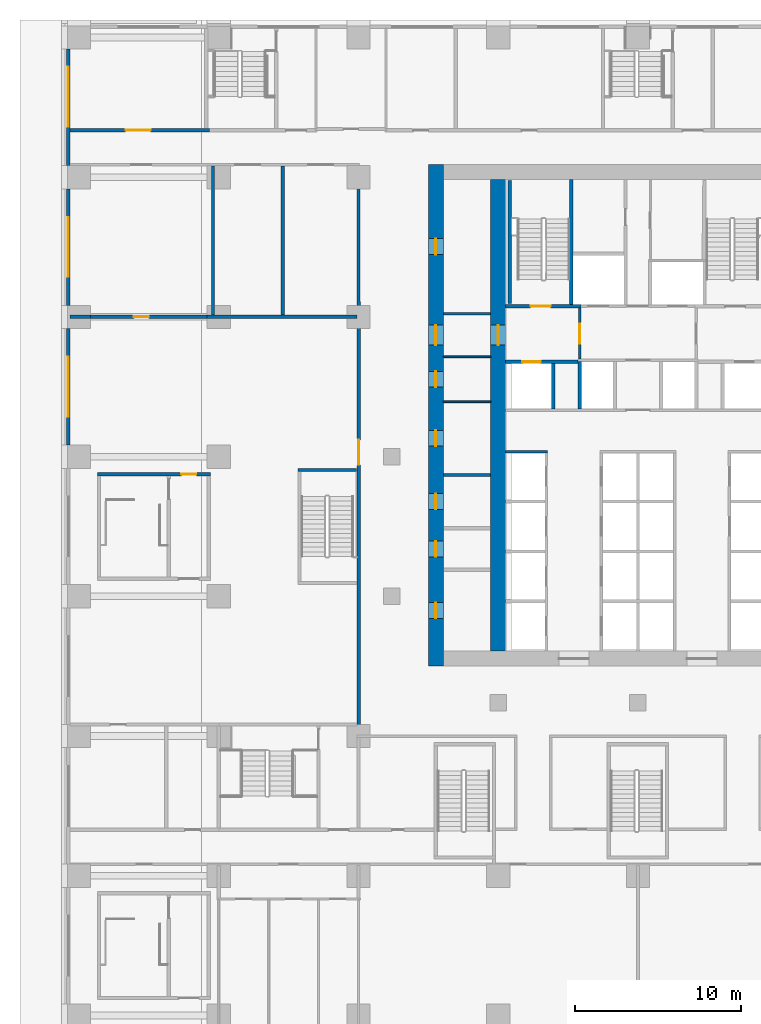
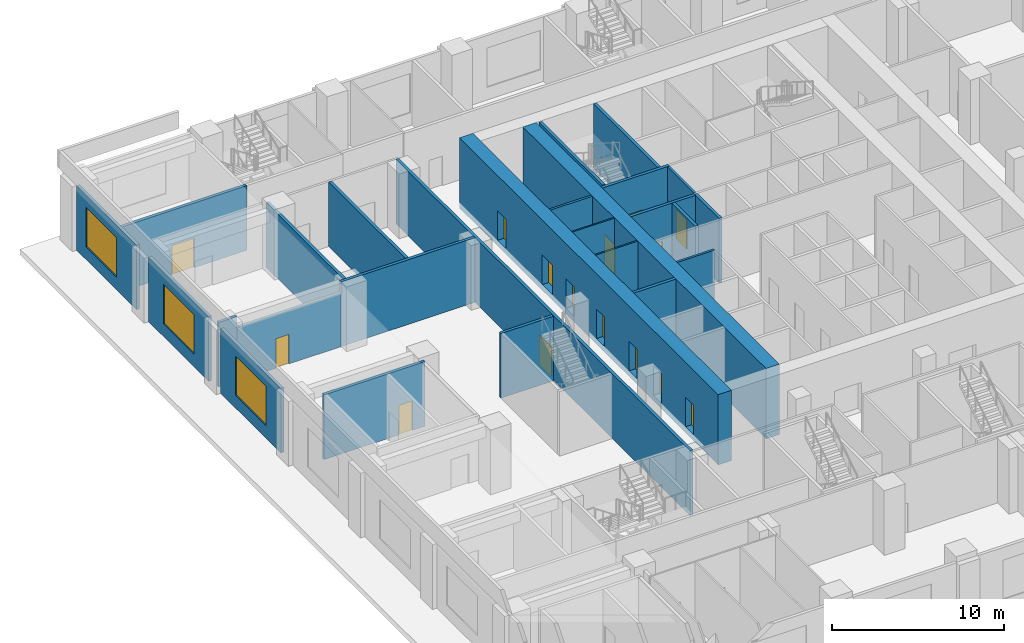
# One storey, part 12 of 29: 26 walls, 15 doors, 3 windows, 18 openings.
"""IFC4 building model written with IfcOpenShell, lengths in metres."""

import ifcopenshell
import ifcopenshell.guid

model = None  # the IFC model being written
_history = None  # IfcOwnerHistory: only IFC2X3 demands one
_inside = {}  # id of a spatial element -> (the spatial element, [elements in it])
_under = {}  # id of a project, library or spatial element -> (it, [spatial elements below it])
_declared = {}  # id of a project -> (the project, [libraries it declares])
_typed = {}  # id of a type object -> (the type object, [elements of that type])
_made_of = {}  # id of a material, layer set ... -> (it, [elements and type objects made of it])


def new_model(schema):
    """Start an empty IFC model of exactly this schema.

    Asked for "IFC4X3", IfcOpenShell would pick the latest addendum, in which some entities
    have other attributes; the version numbers below select the first issue.
    IFC2X3 requires an IfcOwnerHistory on every rooted entity: one is made here for all.
    """
    global model, _history
    if schema == "IFC4X3":
        model = ifcopenshell.file(schema_version=(4, 3, 0, 0))
    else:
        model = ifcopenshell.file(schema=schema)
    _inside.clear()
    _under.clear()
    _declared.clear()
    _typed.clear()
    _made_of.clear()
    _history = None
    if model.schema == "IFC2X3":
        org = make("IfcOrganization", Name="unknown")
        user = make(
            "IfcPersonAndOrganization",
            ThePerson=make("IfcPerson", FamilyName="unknown"),
            TheOrganization=org,
        )
        app = make(
            "IfcApplication",
            ApplicationDeveloper=org,
            Version="unknown",
            ApplicationFullName="unknown",
            ApplicationIdentifier="unknown",
        )
        _history = make(
            "IfcOwnerHistory",
            OwningUser=user,
            OwningApplication=app,
            ChangeAction="ADDED",
            CreationDate=0,
        )
    return model


def make(cls, **values):
    """One entity of the class cls with the attributes given. An attribute that is None is left unset."""
    return model.create_entity(
        cls, **{name: value for name, value in values.items() if value is not None}
    )


def rooted(cls, **values):
    """An entity with a GlobalId (a new one), such as an element, a storey or a relation."""
    return make(cls, GlobalId=ifcopenshell.guid.new(), OwnerHistory=_history, **values)


def si_unit(unit_type, name, prefix=None):
    """IfcSIUnit, for example si_unit("LENGTHUNIT", "METRE", prefix="MILLI")."""
    return make("IfcSIUnit", UnitType=unit_type, Prefix=prefix, Name=name)


def assignment(units):
    """IfcUnitAssignment: the units of a project."""
    return None if units is None else make("IfcUnitAssignment", Units=units)


def point(xyz):
    """IfcCartesianPoint."""
    return None if xyz is None else make("IfcCartesianPoint", Coordinates=xyz)


def direction(xyz):
    """IfcDirection."""
    return None if xyz is None else make("IfcDirection", DirectionRatios=xyz)


def frame(location, z_axis=None, x_axis=None):
    """IfcAxis2Placement3D, a coordinate frame: its origin and axes. An axis left out is left unset."""
    return make(
        "IfcAxis2Placement3D",
        Location=point(location),
        Axis=direction(z_axis),
        RefDirection=direction(x_axis),
    )


def frame_2d(location, x_axis=None):
    """IfcAxis2Placement2D, a coordinate frame in the plane: its origin and x axis."""
    return make(
        "IfcAxis2Placement2D", Location=point(location), RefDirection=direction(x_axis)
    )


def origin():
    """The frame at (0, 0, 0) with its axes left unset."""
    return frame((0.0, 0.0, 0.0))


def place(relative_to, where):
    """IfcLocalPlacement: puts the frame where relative to a parent placement (None: the world)."""
    return make(
        "IfcLocalPlacement", PlacementRelTo=relative_to, RelativePlacement=where
    )


def context(
    kind, dimensions, precision=None, world=None, true_north=None, identifier=None
):
    """IfcGeometricRepresentationContext, for example the 3D "Model" context."""
    return make(
        "IfcGeometricRepresentationContext",
        ContextIdentifier=identifier,
        ContextType=kind,
        CoordinateSpaceDimension=dimensions,
        Precision=precision,
        WorldCoordinateSystem=world,
        TrueNorth=true_north,
    )


def subcontext(parent, identifier, kind, view, scale=None):
    """IfcGeometricRepresentationSubContext, for example "Body" below "Model"."""
    return make(
        "IfcGeometricRepresentationSubContext",
        ContextIdentifier=identifier,
        ContextType=kind,
        ParentContext=parent,
        TargetScale=scale,
        TargetView=view,
    )


def project(units=None, contexts=None):
    """IfcProject with its units and contexts."""
    return rooted(
        "IfcProject",
        Name="project",
        RepresentationContexts=contexts,
        UnitsInContext=assignment(units),
    )


def spatial(cls, under=None, at=None, **own):
    """A site, building, storey or space (cls), placed at a placement, below another one or the project."""
    s = rooted(cls, ObjectPlacement=at, **own)
    if under is not None:
        _under.setdefault(under.id(), (under, []))[1].append(s)
    return s


def profile(cls, at=None, kind="AREA", **sizes):
    """A parametric profile (cls). Its sizes go by their IFC names, for example OverallWidth=200.0."""
    return make(cls, ProfileType=kind, Position=at, **sizes)


def rectangle(**sizes):
    """IfcRectangleProfileDef."""
    return profile("IfcRectangleProfileDef", **sizes)


def extrude(swept, where, along, depth):
    """IfcExtrudedAreaSolid: the profile swept, set in the frame where, extruded along a direction by depth."""
    return make(
        "IfcExtrudedAreaSolid",
        SweptArea=swept,
        Position=where,
        ExtrudedDirection=direction(along),
        Depth=depth,
    )


def shape(context_of_items, identifier, shape_type, items):
    """IfcShapeRepresentation: the items that make up one representation, for example the "Body"."""
    return make(
        "IfcShapeRepresentation",
        ContextOfItems=context_of_items,
        RepresentationIdentifier=identifier,
        RepresentationType=shape_type,
        Items=items,
    )


def material(Name=None, Category=None):
    """IfcMaterial."""
    return make("IfcMaterial", Name=Name, Category=Category)


def layer(
    of_material, thickness, ventilated=None, Name=None, Category=None, Priority=None
):
    """IfcMaterialLayer: one layer of a wall or slab, of a material (None: an air gap)."""
    return make(
        "IfcMaterialLayer",
        Material=of_material,
        LayerThickness=thickness,
        IsVentilated=ventilated,
        Name=Name,
        Category=Category,
        Priority=Priority,
    )


def layer_set(layers, Name=None):
    """IfcMaterialLayerSet."""
    return make("IfcMaterialLayerSet", MaterialLayers=layers, LayerSetName=Name)


def made_of(thing, what):
    """Note that an element or type object is made of a material, layer set ...; save() writes the relation."""
    if what is not None:
        _made_of.setdefault(what.id(), (what, []))[1].append(thing)
    return thing


def type_object(cls, material=None, **own):
    """A type object (cls), such as IfcWallType, which elements share."""
    return made_of(rooted(cls, **own), material)


def element(
    cls,
    number,
    at=None,
    inside=None,
    cuts=None,
    type_object=None,
    material=None,
    context=None,
    identifier="Body",
    shape_type=None,
    held_by="IfcProductDefinitionShape",
    body=None,
    shapes=None,
    **own,
):
    """One element of the class cls, such as IfcWall. Its Tag is "e" and its number.

    at: its placement. inside: the storey or other place that contains it. cuts: it is an
    opening in that element (IfcRelVoidsElement). A single representation is given by context,
    identifier, shape_type and body (its items); several are given by shapes. held_by: the class
    of the entity that holds the representations. save() writes the other relations.
    """
    e = rooted(cls, Tag="e%d" % number, ObjectPlacement=at, **own)
    if body is not None:
        shapes = [shape(context, identifier, shape_type, body)]
    if shapes is not None:
        e.Representation = make(held_by, Representations=shapes)
    if inside is not None:
        _inside.setdefault(inside.id(), (inside, []))[1].append(e)
    if cuts is not None:
        rooted(
            "IfcRelVoidsElement", RelatingBuildingElement=cuts, RelatedOpeningElement=e
        )
    if type_object is not None:
        _typed.setdefault(type_object.id(), (type_object, []))[1].append(e)
    return made_of(e, material)


def fill(opening, filler):
    """IfcRelFillsElement: the door or window that sits in an opening."""
    return rooted(
        "IfcRelFillsElement",
        RelatingOpeningElement=opening,
        RelatedBuildingElement=filler,
    )


def aggregate(whole, parts):
    """IfcRelAggregates: a whole, such as a stair, and the parts it consists of."""
    return rooted("IfcRelAggregates", RelatingObject=whole, RelatedObjects=parts)


def save(model, path):
    """Write the relations noted so far, then the file.

    IfcRelAggregates (storeys below a building ...), IfcRelContainedInSpatialStructure (elements
    in a storey), IfcRelDefinesByType, IfcRelAssociatesMaterial and IfcRelDeclares: one each for
    every whole, place, type object, material and project.
    """
    for whole, parts in _under.values():
        aggregate(whole, parts)
    for where, things in _inside.values():
        rooted(
            "IfcRelContainedInSpatialStructure",
            RelatedElements=things,
            RelatingStructure=where,
        )
    for kind, things in _typed.values():
        rooted("IfcRelDefinesByType", RelatedObjects=things, RelatingType=kind)
    for what, things in _made_of.values():
        rooted("IfcRelAssociatesMaterial", RelatedObjects=things, RelatingMaterial=what)
    for by, libraries in _declared.values():
        rooted("IfcRelDeclares", RelatingContext=by, RelatedDefinitions=libraries)
    model.write(path)


model = new_model("IFC4")

# Units and contexts
model_context = context("Model", 3, precision=1e-05, world=origin(), true_north=direction((0.0, 1.0)))
body_context = subcontext(model_context, "Body", "Model", "MODEL_VIEW")
ifc_project = project(units=[si_unit("LENGTHUNIT", "METRE"), si_unit("AREAUNIT", "SQUARE_METRE"), si_unit("VOLUMEUNIT", "CUBIC_METRE"), si_unit("PLANEANGLEUNIT", "RADIAN"), si_unit("MASSUNIT", "GRAM", prefix="KILO")], contexts=[model_context])

# Site, building, storey
site_placement = place(None, origin())
site = spatial("IfcSite", under=ifc_project, at=site_placement, CompositionType="ELEMENT")
building_placement = place(site_placement, origin())
building = spatial("IfcBuilding", under=site, at=building_placement, Name="Vermilion Ogive Tower", CompositionType="ELEMENT")
storey_placement = place(building_placement, frame((0.0, 0.0, 7.5)))
storey = spatial("IfcBuildingStorey", under=building, at=storey_placement, Name="L01", CompositionType="ELEMENT", Elevation=7.5)

# Wall, openings, doors
ifc_material_1 = material(Name="Concrete B80", Category="concrete")
ifc_layer_1 = layer(ifc_material_1, 0.89990234375)
ifc_layer_set_1 = layer_set([ifc_layer_1], Name="Core wall 900 B80")
wall_type_1 = type_object("IfcWallType", Name="Core wall 900 B80", PredefinedType="SHEAR", material=ifc_layer_set_1)
wall_1_placement = place(storey_placement, frame((-12.14990234375, -8.39990234375, -0.39990234375), z_axis=(0.0, 0.0, 1.0), x_axis=(0.0, 1.0, 0.0)))
wall_1 = element("IfcWall", 1, at=wall_1_placement, inside=storey, type_object=wall_type_1, Name="L01-CORE-W", PredefinedType="SHEAR", context=body_context, shape_type="SweptSolid", body=[
    extrude(rectangle(XDim=30.14990234375, YDim=0.89990234375, at=frame_2d((15.074951171875, 0.0))), origin(), (0.0, 0.0, 1.0), 5.0),
])
opening_1_placement = place(wall_1_placement, frame((2.875, 0.0, 0.39990234375)))
opening_1 = element("IfcOpeningElement", 2, at=opening_1_placement, cuts=wall_1, Name="Opening DAK006", PredefinedType="OPENING", context=body_context, shape_type="SweptSolid", body=[
    extrude(rectangle(XDim=0.949951171875, YDim=2.10009765625, at=frame_2d((0.47509765625, 1.050048828125))), frame((0.0, 0.4599609375, 0.0), z_axis=(0.0, -1.0, 0.0), x_axis=(1.0, 0.0, 0.0)), (0.0, 0.0, 1.0), 0.919921875),
])
opening_2_placement = place(wall_1_placement, frame((6.574951171875, 0.0, 0.39990234375)))
opening_2 = element("IfcOpeningElement", 3, at=opening_2_placement, cuts=wall_1, Name="Opening DAK007", PredefinedType="OPENING", context=body_context, shape_type="SweptSolid", body=[
    extrude(rectangle(XDim=0.949951171875, YDim=2.10009765625, at=frame_2d((0.47509765625, 1.050048828125))), frame((0.0, 0.4599609375, 0.0), z_axis=(0.0, -1.0, 0.0), x_axis=(1.0, 0.0, 0.0)), (0.0, 0.0, 1.0), 0.919921875),
])
opening_3_placement = place(wall_1_placement, frame((9.425048828125, 0.0, 0.39990234375)))
opening_3 = element("IfcOpeningElement", 4, at=opening_3_placement, cuts=wall_1, Name="Opening DAK008", PredefinedType="OPENING", context=body_context, shape_type="SweptSolid", body=[
    extrude(rectangle(XDim=0.949951171875, YDim=2.10009765625, at=frame_2d((0.47509765625, 1.050048828125))), frame((0.0, 0.4599609375, 0.0), z_axis=(0.0, -1.0, 0.0), x_axis=(1.0, 0.0, 0.0)), (0.0, 0.0, 1.0), 0.919921875),
])
opening_4_placement = place(wall_1_placement, frame((13.22509765625, 0.0, 0.39990234375)))
opening_4 = element("IfcOpeningElement", 5, at=opening_4_placement, cuts=wall_1, Name="Opening DAK009", PredefinedType="OPENING", context=body_context, shape_type="SweptSolid", body=[
    extrude(rectangle(XDim=0.949951171875, YDim=2.10009765625, at=frame_2d((0.47509765625, 1.050048828125))), frame((0.0, 0.4599609375, 0.0), z_axis=(0.0, -1.0, 0.0), x_axis=(1.0, 0.0, 0.0)), (0.0, 0.0, 1.0), 0.919921875),
])
opening_5_placement = place(wall_1_placement, frame((16.77490234375, 0.0, 0.39990234375)))
opening_5 = element("IfcOpeningElement", 6, at=opening_5_placement, cuts=wall_1, Name="Opening DAK010", PredefinedType="OPENING", context=body_context, shape_type="SweptSolid", body=[
    extrude(rectangle(XDim=0.949951171875, YDim=2.10009765625, at=frame_2d((0.47509765625, 1.050048828125))), frame((0.0, 0.4599609375, 0.0), z_axis=(0.0, -1.0, 0.0), x_axis=(1.0, 0.0, 0.0)), (0.0, 0.0, 1.0), 0.919921875),
])
opening_6_placement = place(wall_1_placement, frame((24.75, 0.0, 0.39990234375)))
opening_6 = element("IfcOpeningElement", 7, at=opening_6_placement, cuts=wall_1, Name="Opening DAK011", PredefinedType="OPENING", context=body_context, shape_type="SweptSolid", body=[
    extrude(rectangle(XDim=0.949951171875, YDim=2.10009765625, at=frame_2d((0.47509765625, 1.050048828125))), frame((0.0, 0.4599609375, 0.0), z_axis=(0.0, -1.0, 0.0), x_axis=(1.0, 0.0, 0.0)), (0.0, 0.0, 1.0), 0.919921875),
])
opening_7_placement = place(wall_1_placement, frame((19.300048828125, 0.0, 0.39990234375)))
opening_7 = element("IfcOpeningElement", 8, at=opening_7_placement, cuts=wall_1, Name="Opening DBB002", PredefinedType="OPENING", context=body_context, shape_type="SweptSolid", body=[
    extrude(rectangle(XDim=1.199951171875, YDim=2.10009765625, at=frame_2d((0.60009765625, 1.050048828125))), frame((0.0, 0.4599609375, 0.0), z_axis=(0.0, -1.0, 0.0), x_axis=(1.0, 0.0, 0.0)), (0.0, 0.0, 1.0), 0.919921875),
])
ifc_material_2 = material(Name="Timber door leaf", Category="wood")
door_type_1 = type_object("IfcDoorType", Name="Link door 1200 x 2100 FD60S", OperationType="SINGLE_SWING_LEFT", PredefinedType="DOOR", material=ifc_material_2)
door_1_placement = place(opening_7_placement, origin())
door_1 = element("IfcDoor", 9, at=door_1_placement, inside=storey, type_object=door_type_1, Name="L01-CKW-XL", OperationType="SINGLE_SWING_LEFT", OverallHeight=2.10009765625, OverallWidth=1.199951171875, PredefinedType="DOOR", context=body_context, shape_type="SweptSolid", body=[
    extrude(rectangle(XDim=1.199951171875, YDim=2.10009765625, at=frame_2d((0.60009765625, 1.050048828125))), frame((0.0, 0.02490234375, 0.0), z_axis=(0.0, -1.0, 0.0), x_axis=(1.0, 0.0, 0.0)), (0.0, 0.0, 1.0), 0.050048828125),
])
fill(opening_7, door_1)
ifc_material_3 = material(Name="Timber door leaf", Category="wood")
door_type_2 = type_object("IfcDoorType", Name="Service door 950 x 2100 FD60", OperationType="SINGLE_SWING_LEFT", PredefinedType="DOOR", material=ifc_material_3)
door_2_placement = place(opening_1_placement, origin())
door_2 = element("IfcDoor", 10, at=door_2_placement, inside=storey, type_object=door_type_2, Name="L01-CKW-XR0", OperationType="SINGLE_SWING_LEFT", OverallHeight=2.10009765625, OverallWidth=0.949951171875, PredefinedType="DOOR", context=body_context, shape_type="SweptSolid", body=[
    extrude(rectangle(XDim=0.949951171875, YDim=2.10009765625, at=frame_2d((0.47509765625, 1.050048828125))), frame((0.0, 0.02490234375, 0.0), z_axis=(0.0, -1.0, 0.0), x_axis=(1.0, 0.0, 0.0)), (0.0, 0.0, 1.0), 0.050048828125),
])
fill(opening_1, door_2)
door_3_placement = place(opening_2_placement, origin())
door_3 = element("IfcDoor", 11, at=door_3_placement, inside=storey, type_object=door_type_2, Name="L01-CKW-XR1", OperationType="SINGLE_SWING_LEFT", OverallHeight=2.10009765625, OverallWidth=0.949951171875, PredefinedType="DOOR", context=body_context, shape_type="SweptSolid", body=[
    extrude(rectangle(XDim=0.949951171875, YDim=2.10009765625, at=frame_2d((0.47509765625, 1.050048828125))), frame((0.0, 0.02490234375, 0.0), z_axis=(0.0, -1.0, 0.0), x_axis=(1.0, 0.0, 0.0)), (0.0, 0.0, 1.0), 0.050048828125),
])
fill(opening_2, door_3)
door_4_placement = place(opening_3_placement, origin())
door_4 = element("IfcDoor", 12, at=door_4_placement, inside=storey, type_object=door_type_2, Name="L01-CKW-XR2", OperationType="SINGLE_SWING_LEFT", OverallHeight=2.10009765625, OverallWidth=0.949951171875, PredefinedType="DOOR", context=body_context, shape_type="SweptSolid", body=[
    extrude(rectangle(XDim=0.949951171875, YDim=2.10009765625, at=frame_2d((0.47509765625, 1.050048828125))), frame((0.0, 0.02490234375, 0.0), z_axis=(0.0, -1.0, 0.0), x_axis=(1.0, 0.0, 0.0)), (0.0, 0.0, 1.0), 0.050048828125),
])
fill(opening_3, door_4)
door_5_placement = place(opening_4_placement, origin())
door_5 = element("IfcDoor", 13, at=door_5_placement, inside=storey, type_object=door_type_2, Name="L01-CKW-XR3", OperationType="SINGLE_SWING_LEFT", OverallHeight=2.10009765625, OverallWidth=0.949951171875, PredefinedType="DOOR", context=body_context, shape_type="SweptSolid", body=[
    extrude(rectangle(XDim=0.949951171875, YDim=2.10009765625, at=frame_2d((0.47509765625, 1.050048828125))), frame((0.0, 0.02490234375, 0.0), z_axis=(0.0, -1.0, 0.0), x_axis=(1.0, 0.0, 0.0)), (0.0, 0.0, 1.0), 0.050048828125),
])
fill(opening_4, door_5)
door_6_placement = place(opening_5_placement, origin())
door_6 = element("IfcDoor", 14, at=door_6_placement, inside=storey, type_object=door_type_2, Name="L01-CKW-XR4", OperationType="SINGLE_SWING_LEFT", OverallHeight=2.10009765625, OverallWidth=0.949951171875, PredefinedType="DOOR", context=body_context, shape_type="SweptSolid", body=[
    extrude(rectangle(XDim=0.949951171875, YDim=2.10009765625, at=frame_2d((0.47509765625, 1.050048828125))), frame((0.0, 0.02490234375, 0.0), z_axis=(0.0, -1.0, 0.0), x_axis=(1.0, 0.0, 0.0)), (0.0, 0.0, 1.0), 0.050048828125),
])
fill(opening_5, door_6)
door_7_placement = place(opening_6_placement, origin())
door_7 = element("IfcDoor", 15, at=door_7_placement, inside=storey, type_object=door_type_2, Name="L01-CKW-XR5", OperationType="SINGLE_SWING_LEFT", OverallHeight=2.10009765625, OverallWidth=0.949951171875, PredefinedType="DOOR", context=body_context, shape_type="SweptSolid", body=[
    extrude(rectangle(XDim=0.949951171875, YDim=2.10009765625, at=frame_2d((0.47509765625, 1.050048828125))), frame((0.0, 0.02490234375, 0.0), z_axis=(0.0, -1.0, 0.0), x_axis=(1.0, 0.0, 0.0)), (0.0, 0.0, 1.0), 0.050048828125),
])
fill(opening_6, door_7)

# Wall, opening, door
wall_2_placement = place(storey_placement, frame((-8.39990234375, -7.5, -0.39990234375), z_axis=(0.0, 0.0, 1.0), x_axis=(0.0, 1.0, 0.0)))
wall_2 = element("IfcWall", 16, at=wall_2_placement, inside=storey, type_object=wall_type_1, Name="L01-CORE-WEB1", PredefinedType="SHEAR", context=body_context, shape_type="SweptSolid", body=[
    extrude(rectangle(XDim=28.35009765625, YDim=0.89990234375, at=frame_2d((14.175048828125, 0.0))), origin(), (0.0, 0.0, 1.0), 5.0),
])
opening_8_placement = place(wall_2_placement, frame((18.39990234375, 0.0, 0.39990234375)))
opening_8 = element("IfcOpeningElement", 17, at=opening_8_placement, cuts=wall_2, Name="Opening DBD002", PredefinedType="OPENING", context=body_context, shape_type="SweptSolid", body=[
    extrude(rectangle(XDim=1.199951171875, YDim=2.10009765625, at=frame_2d((0.60009765625, 1.050048828125))), frame((0.0, 0.4599609375, 0.0), z_axis=(0.0, -1.0, 0.0), x_axis=(1.0, 0.0, 0.0)), (0.0, 0.0, 1.0), 0.919921875),
])
door_8_placement = place(opening_8_placement, origin())
door_8 = element("IfcDoor", 18, at=door_8_placement, inside=storey, type_object=door_type_1, Name="L01-CKW-XW", OperationType="SINGLE_SWING_LEFT", OverallHeight=2.10009765625, OverallWidth=1.199951171875, PredefinedType="DOOR", context=body_context, shape_type="SweptSolid", body=[
    extrude(rectangle(XDim=1.199951171875, YDim=2.10009765625, at=frame_2d((0.60009765625, 1.050048828125))), frame((0.0, 0.02490234375, 0.0), z_axis=(0.0, -1.0, 0.0), x_axis=(1.0, 0.0, 0.0)), (0.0, 0.0, 1.0), 0.050048828125),
])
fill(opening_8, door_8)

# Walls
ifc_material_4 = material(Name="Gypsum board partition on steel studs", Category="steel")
ifc_layer_2 = layer(ifc_material_4, 0.10009765625)
ifc_layer_set_2 = layer_set([ifc_layer_2], Name="Partition 100 bath")
wall_type_2 = type_object("IfcWallType", Name="Partition 100 bath", PredefinedType="PARTITIONING", material=ifc_layer_set_2)
for number, where, z_axis, x_axis, name in (
    (19, (-11.698974609375, 7.5, 0.0), (0.0, 0.0, 1.0), (1.0, 0.0, 0.0), "L01-CKW-W-W004"),
    (20, (-11.698974609375, 10.199951171875, 0.0), (0.0, 0.0, 1.0), (1.0, 0.0, 0.0), "L01-CKW-W-W005"),
):
    element("IfcWall", number, at=place(storey_placement, frame(where, z_axis=z_axis, x_axis=x_axis)), inside=storey, type_object=wall_type_2, Name=name, PredefinedType="PARTITIONING", context=body_context, shape_type="SweptSolid", body=[
        extrude(rectangle(XDim=2.847900390625, YDim=0.10009765625, at=frame_2d((1.423828125, 0.0))), origin(), (0.0, 0.0, 1.0), 4.60009765625),
    ])
ifc_material_5 = material(Name="Gypsum board partition on steel studs", Category="steel")
ifc_layer_3 = layer(ifc_material_5, 0.14990234375)
ifc_layer_set_3 = layer_set([ifc_layer_3], Name="Partition 150 corridor")
wall_type_3 = type_object("IfcWallType", Name="Partition 150 corridor", PredefinedType="PARTITIONING", material=ifc_layer_set_3)
wall_3_placement = place(storey_placement, frame((-7.948974609375, 4.5, 0.0), z_axis=(0.0, 0.0, 1.0), x_axis=(1.0, 0.0, 0.0)))
element("IfcWall", 21, at=wall_3_placement, inside=storey, type_object=wall_type_3, Name="L01-CK-W-W010", PredefinedType="PARTITIONING", context=body_context, shape_type="SweptSolid", body=[
    extrude(rectangle(XDim=2.52392578125, YDim=0.14990234375, at=frame_2d((1.261962890625, 0.0))), origin(), (0.0, 0.0, 1.0), 4.60009765625),
])

# Wall, opening, door
wall_4_placement = place(storey_placement, frame((-3.5, 10.074951171875, 0.0), z_axis=(0.0, 0.0, 1.0), x_axis=(0.0, 1.0, 0.0)))
wall_4 = element("IfcWall", 22, at=wall_4_placement, inside=storey, type_object=wall_type_3, Name="L01-CK-W-W026", PredefinedType="PARTITIONING", context=body_context, shape_type="SweptSolid", body=[
    extrude(rectangle(XDim=3.074951171875, YDim=0.14990234375, at=frame_2d((1.53759765625, 0.0))), origin(), (0.0, 0.0, 1.0), 4.60009765625),
])
opening_9_placement = place(wall_4_placement, frame((0.925048828125, 0.0, 0.0)))
opening_9 = element("IfcOpeningElement", 23, at=opening_9_placement, cuts=wall_4, Name="Opening DAB032", PredefinedType="OPENING", context=body_context, shape_type="SweptSolid", body=[
    extrude(rectangle(XDim=1.199951171875, YDim=2.10009765625, at=frame_2d((0.60009765625, 1.050048828125))), frame((0.0, 0.0849609375, 0.0), z_axis=(0.0, -1.0, 0.0), x_axis=(1.0, 0.0, 0.0)), (0.0, 0.0, 1.0), 0.169921875),
])
ifc_material_6 = material(Name="Timber door leaf", Category="wood")
door_type_3 = type_object("IfcDoorType", Name="Lobby door 1200 x 2100 FD60S", OperationType="SINGLE_SWING_LEFT", PredefinedType="DOOR", material=ifc_material_6)
door_9_placement = place(opening_9_placement, origin())
door_9 = element("IfcDoor", 24, at=door_9_placement, inside=storey, type_object=door_type_3, Name="L01-CK-D-D022", OperationType="SINGLE_SWING_RIGHT", OverallHeight=2.10009765625, OverallWidth=1.199951171875, PredefinedType="DOOR", context=body_context, shape_type="SweptSolid", body=[
    extrude(rectangle(XDim=1.199951171875, YDim=2.10009765625, at=frame_2d((0.60009765625, 1.050048828125))), frame((0.0, 0.02490234375, 0.0), z_axis=(0.0, -1.0, 0.0), x_axis=(1.0, 0.0, 0.0)), (0.0, 0.0, 1.0), 0.050048828125),
])
fill(opening_9, door_9)

# Wall
wall_5_placement = place(storey_placement, frame((-11.698974609375, 12.800048828125, 0.0), z_axis=(0.0, 0.0, 1.0), x_axis=(1.0, 0.0, 0.0)))
element("IfcWall", 25, at=wall_5_placement, inside=storey, type_object=wall_type_3, Name="L01-CKW-W-W006", PredefinedType="PARTITIONING", context=body_context, shape_type="SweptSolid", body=[
    extrude(rectangle(XDim=2.847900390625, YDim=0.14990234375, at=frame_2d((1.423828125, 0.0))), origin(), (0.0, 0.0, 1.0), 4.60009765625),
])

# Wall, opening, door
ifc_material_7 = material(Name="Gypsum board partition on steel studs", Category="steel")
ifc_layer_4 = layer(ifc_material_7, 0.199951171875)
ifc_layer_set_4 = layer_set([ifc_layer_4], Name="Partition 200 party")
wall_type_4 = type_object("IfcWallType", Name="Partition 200 party", PredefinedType="PARTITIONING", material=ifc_layer_set_4)
wall_6_placement = place(storey_placement, frame((-32.5, 3.14990234375, 0.0), z_axis=(0.0, 0.0, 1.0), x_axis=(1.0, 0.0, 0.0)))
wall_6 = element("IfcWall", 26, at=wall_6_placement, inside=storey, type_object=wall_type_4, Name="L01-FS-W-W025", PredefinedType="PARTITIONING", context=body_context, shape_type="SweptSolid", body=[
    extrude(rectangle(XDim=6.800048828125, YDim=0.199951171875, at=frame_2d((3.39990234375, 0.0))), origin(), (0.0, 0.0, 1.0), 4.60009765625),
])
opening_10_placement = place(wall_6_placement, frame((5.050048828125, 0.0, 0.0)))
opening_10 = element("IfcOpeningElement", 27, at=opening_10_placement, cuts=wall_6, Name="Opening L01S024", PredefinedType="OPENING", context=body_context, shape_type="SweptSolid", body=[
    extrude(rectangle(XDim=0.89990234375, YDim=2.10009765625, at=frame_2d((0.449951171875, 1.050048828125))), frame((0.0, 0.10986328125, 0.0), z_axis=(0.0, -1.0, 0.0), x_axis=(1.0, 0.0, 0.0)), (0.0, 0.0, 1.0), 0.219970703125),
])
ifc_material_8 = material(Name="Timber door leaf", Category="wood")
door_type_4 = type_object("IfcDoorType", Name="Room door 900 x 2100 FD30", OperationType="SINGLE_SWING_LEFT", PredefinedType="DOOR", material=ifc_material_8)
door_10_placement = place(opening_10_placement, origin())
door_10 = element("IfcDoor", 28, at=door_10_placement, inside=storey, type_object=door_type_4, Name="L01-FS-D-D024", OperationType="SINGLE_SWING_LEFT", OverallHeight=2.10009765625, OverallWidth=0.89990234375, PredefinedType="DOOR", context=body_context, shape_type="SweptSolid", body=[
    extrude(rectangle(XDim=0.89990234375, YDim=2.10009765625, at=frame_2d((0.449951171875, 1.050048828125))), frame((0.0, 0.02490234375, 0.0), z_axis=(0.0, -1.0, 0.0), x_axis=(1.0, 0.0, 0.0)), (0.0, 0.0, 1.0), 0.050048828125),
])
fill(opening_10, door_10)

# Walls
wall_7_placement = place(storey_placement, frame((-34.14990234375, 12.60009765625, 0.0), z_axis=(0.0, 0.0, 1.0), x_axis=(1.0, 0.0, 0.0)))
element("IfcWall", 29, at=wall_7_placement, inside=storey, type_object=wall_type_4, Name="L01-FS-W-W027", PredefinedType="PARTITIONING", context=body_context, shape_type="SweptSolid", body=[
    extrude(rectangle(XDim=1.25, YDim=0.199951171875, at=frame_2d((0.625, 0.0))), origin(), (0.0, 0.0, 1.0), 4.60009765625),
])
for number, where, z_axis, x_axis, name in (
    (30, (-25.550048828125, 12.699951171875, 0.0), (0.0, 0.0, 1.0), (0.0, 1.0, 0.0), "L01-FS-W-W049"),
    (31, (-21.35009765625, 12.699951171875, 0.0), (0.0, 0.0, 1.0), (0.0, 1.0, 0.0), "L01-FS-W-W055"),
):
    element("IfcWall", number, at=place(storey_placement, frame(where, z_axis=z_axis, x_axis=x_axis)), inside=storey, type_object=wall_type_4, Name=name, PredefinedType="PARTITIONING", context=body_context, shape_type="SweptSolid", body=[
        extrude(rectangle(XDim=8.97509765625, YDim=0.199951171875, at=frame_2d((4.487548828125, 0.0))), origin(), (0.0, 0.0, 1.0), 4.60009765625),
    ])

# Wall, opening, door
wall_8_placement = place(storey_placement, frame((-7.948974609375, 9.89990234375, 0.0), z_axis=(0.0, 0.0, 1.0), x_axis=(1.0, 0.0, 0.0)))
wall_8 = element("IfcWall", 32, at=wall_8_placement, inside=storey, type_object=wall_type_4, Name="L01-CK-W-W014", PredefinedType="PARTITIONING", context=body_context, shape_type="SweptSolid", body=[
    extrude(rectangle(XDim=4.348876953125, YDim=0.199951171875, at=frame_2d((2.17431640625, 0.0))), origin(), (0.0, 0.0, 1.0), 4.60009765625),
])
opening_11_placement = place(wall_8_placement, frame((0.9990234375, 0.0, 0.0)))
opening_11 = element("IfcOpeningElement", 33, at=opening_11_placement, cuts=wall_8, Name="Opening DAB043", PredefinedType="OPENING", context=body_context, shape_type="SweptSolid", body=[
    extrude(rectangle(XDim=1.10009765625, YDim=2.10009765625, at=frame_2d((0.550048828125, 1.050048828125))), frame((0.0, 0.10986328125, 0.0), z_axis=(0.0, -1.0, 0.0), x_axis=(1.0, 0.0, 0.0)), (0.0, 0.0, 1.0), 0.219970703125),
])
ifc_material_9 = material(Name="Stainless steel", Category="steel")
door_type_5 = type_object("IfcDoorType", Name="Lift landing door 1100 x 2100", OperationType="SLIDING_TO_LEFT", PredefinedType="DOOR", material=ifc_material_9)
door_11_placement = place(opening_11_placement, origin())
door_11 = element("IfcDoor", 34, at=door_11_placement, inside=storey, type_object=door_type_5, Name="L01-CK-D-D012", OperationType="SLIDING_TO_RIGHT", OverallHeight=2.10009765625, OverallWidth=1.10009765625, PredefinedType="DOOR", context=body_context, shape_type="SweptSolid", body=[
    extrude(rectangle(XDim=1.10009765625, YDim=2.10009765625, at=frame_2d((0.550048828125, 1.050048828125))), frame((0.0, 0.02490234375, 0.0), z_axis=(0.0, -1.0, 0.0), x_axis=(1.0, 0.0, 0.0)), (0.0, 0.0, 1.0), 0.050048828125),
])
fill(opening_11, door_11)

# Walls
wall_9_placement = place(storey_placement, frame((-5.10009765625, 7.074951171875, 0.0), z_axis=(0.0, 0.0, 1.0), x_axis=(0.0, 1.0, 0.0)))
element("IfcWall", 35, at=wall_9_placement, inside=storey, type_object=wall_type_4, Name="L01-CK-W-W023", PredefinedType="PARTITIONING", context=body_context, shape_type="SweptSolid", body=[
    extrude(rectangle(XDim=2.72509765625, YDim=0.199951171875, at=frame_2d((1.362548828125, 0.0))), origin(), (0.0, 0.0, 1.0), 4.60009765625),
])
wall_10_placement = place(storey_placement, frame((-3.5, 7.074951171875, 0.0), z_axis=(0.0, 0.0, 1.0), x_axis=(0.0, 1.0, 0.0)))
element("IfcWall", 36, at=wall_10_placement, inside=storey, type_object=wall_type_4, Name="L01-CK-W-W025", PredefinedType="PARTITIONING", context=body_context, shape_type="SweptSolid", body=[
    extrude(rectangle(XDim=2.85009765625, YDim=0.199951171875, at=frame_2d((1.425048828125, 0.0))), origin(), (0.0, 0.0, 1.0), 4.60009765625),
])
wall_11_placement = place(storey_placement, frame((-11.698974609375, 3.10009765625, 0.0), z_axis=(0.0, 0.0, 1.0), x_axis=(1.0, 0.0, 0.0)))
element("IfcWall", 37, at=wall_11_placement, inside=storey, type_object=wall_type_4, Name="L01-CKW-W-W003", PredefinedType="PARTITIONING", context=body_context, shape_type="SweptSolid", body=[
    extrude(rectangle(XDim=2.847900390625, YDim=0.199951171875, at=frame_2d((1.423828125, 0.0))), origin(), (0.0, 0.0, 1.0), 4.60009765625),
])

# Wall, opening, door
wall_12_placement = place(storey_placement, frame((-32.89990234375, 12.60009765625, 0.0), z_axis=(0.0, 0.0, 1.0), x_axis=(1.0, 0.0, 0.0)))
wall_12 = element("IfcWall", 38, at=wall_12_placement, inside=storey, type_object=wall_type_4, Name="L01-FS-W-W027-h1", PredefinedType="PARTITIONING", context=body_context, shape_type="SweptSolid", body=[
    extrude(rectangle(XDim=7.0, YDim=0.199951171875, at=frame_2d((3.5, 0.0))), origin(), (0.0, 0.0, 1.0), 3.800048828125),
])
opening_12_placement = place(wall_12_placement, frame((2.599853515625, 0.0, 0.0)))
opening_12 = element("IfcOpeningElement", 39, at=opening_12_placement, cuts=wall_12, Name="Opening L01S025", PredefinedType="OPENING", context=body_context, shape_type="SweptSolid", body=[
    extrude(rectangle(XDim=0.89990234375, YDim=2.10009765625, at=frame_2d((0.449951171875, 1.050048828125))), frame((0.0, 0.10986328125, 0.0), z_axis=(0.0, -1.0, 0.0), x_axis=(1.0, 0.0, 0.0)), (0.0, 0.0, 1.0), 0.219970703125),
])
door_12_placement = place(opening_12_placement, origin())
door_12 = element("IfcDoor", 40, at=door_12_placement, inside=storey, type_object=door_type_4, Name="L01-FS-D-D025", OperationType="SINGLE_SWING_LEFT", OverallHeight=2.10009765625, OverallWidth=0.89990234375, PredefinedType="DOOR", context=body_context, shape_type="SweptSolid", body=[
    extrude(rectangle(XDim=0.89990234375, YDim=2.10009765625, at=frame_2d((0.449951171875, 1.050048828125))), frame((0.0, 0.02490234375, 0.0), z_axis=(0.0, -1.0, 0.0), x_axis=(1.0, 0.0, 0.0)), (0.0, 0.0, 1.0), 0.050048828125),
])
fill(opening_12, door_12)

# Wall
wall_13_placement = place(storey_placement, frame((-25.89990234375, 12.60009765625, 0.0), z_axis=(0.0, 0.0, 1.0), x_axis=(1.0, 0.0, 0.0)))
element("IfcWall", 41, at=wall_13_placement, inside=storey, type_object=wall_type_4, Name="L01-FS-W-W027-h2", PredefinedType="PARTITIONING", context=body_context, shape_type="SweptSolid", body=[
    extrude(rectangle(XDim=9.02490234375, YDim=0.199951171875, at=frame_2d((4.512451171875, 0.0))), origin(), (0.0, 0.0, 1.0), 4.60009765625),
])

# Wall, opening, door
ifc_material_10 = material(Name="Concrete B60", Category="concrete")
ifc_layer_5 = layer(ifc_material_10, 0.199951171875)
ifc_layer_set_5 = layer_set([ifc_layer_5], Name="Stair shaft wall 200 Concrete B60")
wall_type_5 = type_object("IfcWallType", Name="Stair shaft wall 200 Concrete B60", PredefinedType="SOLIDWALL", material=ifc_layer_set_5)
wall_14_placement = place(storey_placement, frame((-16.775146484375, -12.52490234375, 0.0), z_axis=(0.0, 0.0, 1.0), x_axis=(-0.000727609751, 0.999999735292, 0.0)))
wall_14 = element("IfcWall", 42, at=wall_14_placement, inside=storey, type_object=wall_type_5, Name="L01-FS-W-W062", PredefinedType="SOLIDWALL", context=body_context, shape_type="SweptSolid", body=[
    extrude(rectangle(XDim=34.224853515625, YDim=0.199951171875, at=frame_2d((17.1123046875, 0.0))), origin(), (0.0, 0.0, 1.0), 4.60009765625),
])
opening_13_placement = place(wall_14_placement, frame((16.224853515625, 0.0, 0.0)))
opening_13 = element("IfcOpeningElement", 43, at=opening_13_placement, cuts=wall_14, Name="Opening L01S023", PredefinedType="OPENING", context=body_context, shape_type="SweptSolid", body=[
    extrude(rectangle(XDim=1.5, YDim=2.10009765625, at=frame_2d((0.75, 1.050048828125))), frame((0.0, 0.10986328125, 0.0), z_axis=(0.0, -1.0, 0.0), x_axis=(1.0, 0.0, 0.0)), (0.0, 0.0, 1.0), 0.219970703125),
])
ifc_material_11 = material(Name="Timber door leaf", Category="wood")
door_type_6 = type_object("IfcDoorType", Name="Assembly door 1500 x 2100 FD30", OperationType="DOUBLE_DOOR_SINGLE_SWING", PredefinedType="DOOR", material=ifc_material_11)
door_13_placement = place(opening_13_placement, origin())
door_13 = element("IfcDoor", 44, at=door_13_placement, inside=storey, type_object=door_type_6, Name="L01-FS-D-D023", OperationType="DOUBLE_DOOR_SINGLE_SWING", OverallHeight=2.10009765625, OverallWidth=1.5, PredefinedType="DOOR", context=body_context, shape_type="SweptSolid", body=[
    extrude(rectangle(XDim=1.5, YDim=2.10009765625, at=frame_2d((0.75, 1.050048828125))), frame((0.0, 0.02490234375, 0.0), z_axis=(0.0, -1.0, 0.0), x_axis=(1.0, 0.0, 0.0)), (0.0, 0.0, 1.0), 0.050048828125),
])
fill(opening_13, door_13)

wall_15_placement = place(storey_placement, frame((-7.948974609375, 13.25, 0.0), z_axis=(0.0, 0.0, 1.0), x_axis=(1.0, 0.0, 0.0)))
wall_15 = element("IfcWall", 45, at=wall_15_placement, inside=storey, type_object=wall_type_5, Name="L01-CK-W-W017", PredefinedType="SOLIDWALL", context=body_context, shape_type="SweptSolid", body=[
    extrude(rectangle(XDim=4.52392578125, YDim=0.199951171875, at=frame_2d((2.261962890625, 0.0))), origin(), (0.0, 0.0, 1.0), 4.60009765625),
])
opening_14_placement = place(wall_15_placement, frame((1.4990234375, 0.0, 0.0)))
opening_14 = element("IfcOpeningElement", 46, at=opening_14_placement, cuts=wall_15, Name="Opening DAB039", PredefinedType="OPENING", context=body_context, shape_type="SweptSolid", body=[
    extrude(rectangle(XDim=1.199951171875, YDim=2.10009765625, at=frame_2d((0.60009765625, 1.050048828125))), frame((0.0, 0.10986328125, 0.0), z_axis=(0.0, -1.0, 0.0), x_axis=(1.0, 0.0, 0.0)), (0.0, 0.0, 1.0), 0.219970703125),
])
ifc_material_12 = material(Name="Timber door leaf", Category="wood")
door_type_7 = type_object("IfcDoorType", Name="Stair door 1200 x 2100 FD60S", OperationType="SINGLE_SWING_LEFT", PredefinedType="DOOR", material=ifc_material_12)
door_14_placement = place(opening_14_placement, origin())
door_14 = element("IfcDoor", 47, at=door_14_placement, inside=storey, type_object=door_type_7, Name="L01-CK-D-D011", OperationType="SINGLE_SWING_LEFT", OverallHeight=2.10009765625, OverallWidth=1.199951171875, PredefinedType="DOOR", context=body_context, shape_type="SweptSolid", body=[
    extrude(rectangle(XDim=1.199951171875, YDim=2.10009765625, at=frame_2d((0.60009765625, 1.050048828125))), frame((0.0, 0.02490234375, 0.0), z_axis=(0.0, -1.0, 0.0), x_axis=(1.0, 0.0, 0.0)), (0.0, 0.0, 1.0), 0.050048828125),
])
fill(opening_14, door_14)

# Walls
wall_16_placement = place(storey_placement, frame((-4.0, 13.35009765625, 0.0), z_axis=(0.0, 0.0, 1.0), x_axis=(0.0, 1.0, 0.0)))
element("IfcWall", 48, at=wall_16_placement, inside=storey, type_object=wall_type_5, Name="L01-CK-W-W024", PredefinedType="SOLIDWALL", context=body_context, shape_type="SweptSolid", body=[
    extrude(rectangle(XDim=7.4990234375, YDim=0.199951171875, at=frame_2d((3.74951171875, 0.0))), origin(), (0.0, 0.0, 1.0), 4.60009765625),
])
wall_17_placement = place(storey_placement, frame((-20.449951171875, 3.39990234375, 0.0), z_axis=(0.0, 0.0, 1.0), x_axis=(1.0, 0.0, 0.0)))
element("IfcWall", 49, at=wall_17_placement, inside=storey, type_object=wall_type_5, Name="L01-SW-ST9-N1", PredefinedType="SOLIDWALL", context=body_context, shape_type="SweptSolid", body=[
    extrude(rectangle(XDim=3.52490234375, YDim=0.199951171875, at=frame_2d((1.762451171875, 0.0))), origin(), (0.0, 0.0, 1.0), 4.60009765625),
])
wall_18_placement = place(storey_placement, frame((-7.699951171875, 13.39990234375, 0.0), z_axis=(0.0, 0.0, 1.0), x_axis=(0.0, 1.0, 0.0)))
element("IfcWall", 50, at=wall_18_placement, inside=storey, type_object=wall_type_5, Name="L01-SW-R022-W1", PredefinedType="SOLIDWALL", context=body_context, shape_type="SweptSolid", body=[
    extrude(rectangle(XDim=7.400146484375, YDim=0.199951171875, at=frame_2d((3.7001953125, 0.0))), origin(), (0.0, 0.0, 1.0), 4.60009765625),
])

# Wall, opening, door
wall_19_placement = place(storey_placement, frame((-34.14990234375, 23.8251953125, 0.0), z_axis=(0.0, 0.0, 1.0), x_axis=(1.0, 0.0, 0.0)))
wall_19 = element("IfcWall", 51, at=wall_19_placement, inside=storey, type_object=wall_type_5, Name="L01-FS-W-W037-A", PredefinedType="SOLIDWALL", context=body_context, shape_type="SweptSolid", body=[
    extrude(rectangle(XDim=8.39990234375, YDim=0.199951171875, at=frame_2d((4.199951171875, 0.0))), origin(), (0.0, 0.0, 1.0), 4.60009765625),
])
opening_15_placement = place(wall_19_placement, frame((3.349853515625, 0.0, 0.0)))
opening_15 = element("IfcOpeningElement", 52, at=opening_15_placement, cuts=wall_19, Name="Opening L01S054", PredefinedType="OPENING", context=body_context, shape_type="SweptSolid", body=[
    extrude(rectangle(XDim=1.5, YDim=2.10009765625, at=frame_2d((0.75, 1.050048828125))), frame((0.0, 0.10986328125, 0.0), z_axis=(0.0, -1.0, 0.0), x_axis=(1.0, 0.0, 0.0)), (0.0, 0.0, 1.0), 0.219970703125),
])
door_15_placement = place(opening_15_placement, origin())
door_15 = element("IfcDoor", 53, at=door_15_placement, inside=storey, type_object=door_type_6, Name="L01-FS-D-D054", OperationType="DOUBLE_DOOR_SINGLE_SWING", OverallHeight=2.10009765625, OverallWidth=1.5, PredefinedType="DOOR", context=body_context, shape_type="SweptSolid", body=[
    extrude(rectangle(XDim=1.5, YDim=2.10009765625, at=frame_2d((0.75, 1.050048828125))), frame((0.0, 0.02490234375, 0.0), z_axis=(0.0, -1.0, 0.0), x_axis=(1.0, 0.0, 0.0)), (0.0, 0.0, 1.0), 0.050048828125),
])
fill(opening_15, door_15)

# Wall, opening, window
ifc_material_13 = material(Name="Aluminium window wall framing", Category="aluminium")
ifc_layer_6 = layer(ifc_material_13, 0.199951171875)
ifc_layer_set_6 = layer_set([ifc_layer_6], Name="Window wall")
wall_type_6 = type_object("IfcWallType", Name="Window wall", PredefinedType="STANDARD", material=ifc_layer_set_6)
wall_20_placement = place(storey_placement, frame((-34.25, 28.699951171875, 0.0), z_axis=(0.0, 0.0, 1.0), x_axis=(0.0, -1.0, 0.0)))
wall_20 = element("IfcWall", 54, at=wall_20_placement, inside=storey, type_object=wall_type_6, Name="Window wall W1", PredefinedType="STANDARD", context=body_context, shape_type="SweptSolid", body=[
    extrude(rectangle(XDim=7.0, YDim=0.199951171875, at=frame_2d((3.5, 0.0))), origin(), (0.0, 0.0, 1.0), 4.60009765625),
])
opening_16_placement = place(wall_20_placement, frame((1.070068359375, 0.0, 0.89990234375)))
opening_16 = element("IfcOpeningElement", 55, at=opening_16_placement, cuts=wall_20, Name="Opening P-W1", PredefinedType="OPENING", context=body_context, shape_type="SweptSolid", body=[
    extrude(rectangle(XDim=3.60009765625, YDim=2.800048828125, at=frame_2d((1.800048828125, 1.39990234375))), frame((0.0, 0.10986328125, 0.0), z_axis=(0.0, -1.0, 0.0), x_axis=(1.0, 0.0, 0.0)), (0.0, 0.0, 1.0), 0.219970703125),
])
ifc_material_14 = material(Name="Aluminium framed double glazing", Category="aluminium")
window_type = type_object("IfcWindowType", Name="Podium window P 3600x2800 sill 900", PartitioningType="SINGLE_PANEL", PredefinedType="WINDOW", material=ifc_material_14)
window_1_placement = place(opening_16_placement, origin())
window_1 = element("IfcWindow", 56, at=window_1_placement, inside=storey, type_object=window_type, Name="Window W1", OverallHeight=2.800048828125, OverallWidth=3.60009765625, PartitioningType="SINGLE_PANEL", PredefinedType="WINDOW", context=body_context, shape_type="SweptSolid", body=[
    extrude(rectangle(XDim=3.60009765625, YDim=2.800048828125, at=frame_2d((1.800048828125, 1.39990234375))), frame((0.0, 0.030029296875, 0.0), z_axis=(0.0, -1.0, 0.0), x_axis=(1.0, 0.0, 0.0)), (0.0, 0.0, 1.0), 0.06005859375),
])
fill(opening_16, window_1)

wall_21_placement = place(storey_placement, frame((-34.25, 20.300048828125, 0.0), z_axis=(0.0, 0.0, 1.0), x_axis=(0.0, -1.0, 0.0)))
wall_21 = element("IfcWall", 57, at=wall_21_placement, inside=storey, type_object=wall_type_6, Name="Window wall W2", PredefinedType="STANDARD", context=body_context, shape_type="SweptSolid", body=[
    extrude(rectangle(XDim=7.0, YDim=0.199951171875, at=frame_2d((3.5, 0.0))), origin(), (0.0, 0.0, 1.0), 4.60009765625),
])
opening_17_placement = place(wall_21_placement, frame((1.699951171875, 0.0, 0.89990234375)))
opening_17 = element("IfcOpeningElement", 58, at=opening_17_placement, cuts=wall_21, Name="Opening P-W2", PredefinedType="OPENING", context=body_context, shape_type="SweptSolid", body=[
    extrude(rectangle(XDim=3.60009765625, YDim=2.800048828125, at=frame_2d((1.800048828125, 1.39990234375))), frame((0.0, 0.10986328125, 0.0), z_axis=(0.0, -1.0, 0.0), x_axis=(1.0, 0.0, 0.0)), (0.0, 0.0, 1.0), 0.219970703125),
])
window_2_placement = place(opening_17_placement, origin())
window_2 = element("IfcWindow", 59, at=window_2_placement, inside=storey, type_object=window_type, Name="Window W2", OverallHeight=2.800048828125, OverallWidth=3.60009765625, PartitioningType="SINGLE_PANEL", PredefinedType="WINDOW", context=body_context, shape_type="SweptSolid", body=[
    extrude(rectangle(XDim=3.60009765625, YDim=2.800048828125, at=frame_2d((1.800048828125, 1.39990234375))), frame((0.0, 0.030029296875, 0.0), z_axis=(0.0, -1.0, 0.0), x_axis=(1.0, 0.0, 0.0)), (0.0, 0.0, 1.0), 0.06005859375),
])
fill(opening_17, window_2)

wall_22_placement = place(storey_placement, frame((-34.25, 11.89990234375, 0.0), z_axis=(0.0, 0.0, 1.0), x_axis=(0.0, -1.0, 0.0)))
wall_22 = element("IfcWall", 60, at=wall_22_placement, inside=storey, type_object=wall_type_6, Name="Window wall W3", PredefinedType="STANDARD", context=body_context, shape_type="SweptSolid", body=[
    extrude(rectangle(XDim=7.0, YDim=0.199951171875, at=frame_2d((3.5, 0.0))), origin(), (0.0, 0.0, 1.0), 4.60009765625),
])
opening_18_placement = place(wall_22_placement, frame((1.699951171875, 0.0, 0.89990234375)))
opening_18 = element("IfcOpeningElement", 61, at=opening_18_placement, cuts=wall_22, Name="Opening P-W3", PredefinedType="OPENING", context=body_context, shape_type="SweptSolid", body=[
    extrude(rectangle(XDim=3.60009765625, YDim=2.800048828125, at=frame_2d((1.800048828125, 1.39990234375))), frame((0.0, 0.10986328125, 0.0), z_axis=(0.0, -1.0, 0.0), x_axis=(1.0, 0.0, 0.0)), (0.0, 0.0, 1.0), 0.219970703125),
])
window_3_placement = place(opening_18_placement, origin())
window_3 = element("IfcWindow", 62, at=window_3_placement, inside=storey, type_object=window_type, Name="Window W3", OverallHeight=2.800048828125, OverallWidth=3.60009765625, PartitioningType="SINGLE_PANEL", PredefinedType="WINDOW", context=body_context, shape_type="SweptSolid", body=[
    extrude(rectangle(XDim=3.60009765625, YDim=2.800048828125, at=frame_2d((1.800048828125, 1.39990234375))), frame((0.0, 0.030029296875, 0.0), z_axis=(0.0, -1.0, 0.0), x_axis=(1.0, 0.0, 0.0)), (0.0, 0.0, 1.0), 0.06005859375),
])
fill(opening_18, window_3)

save(model, "model.ifc")
